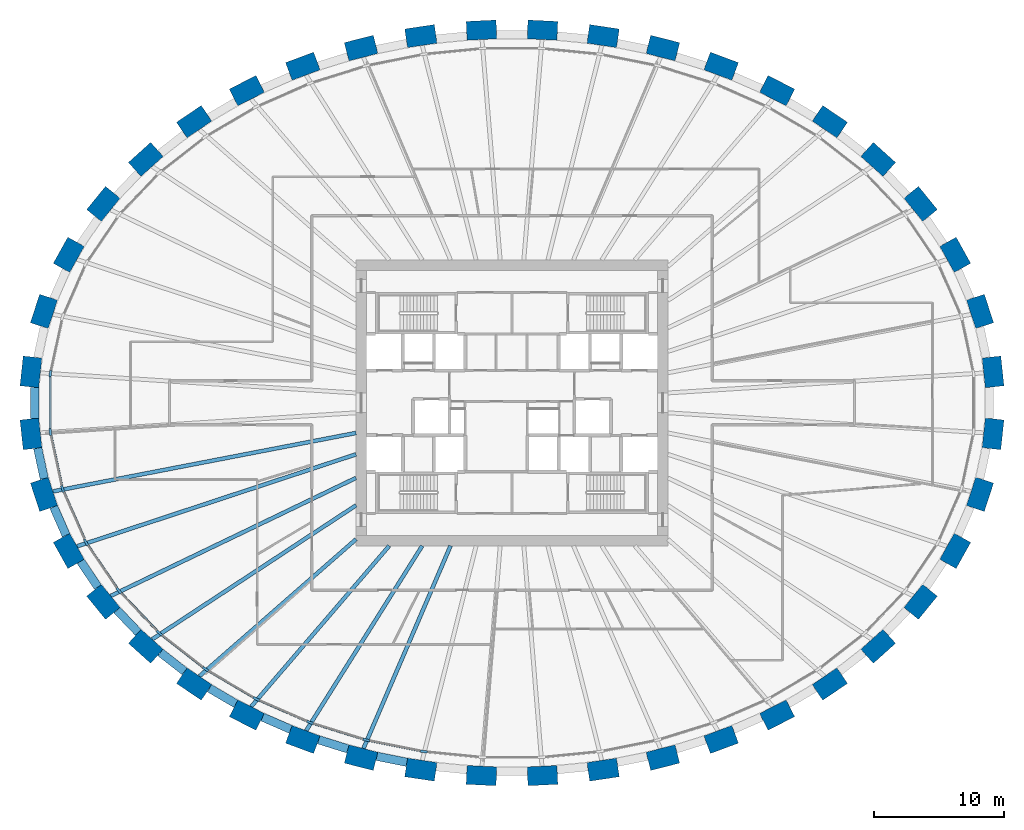
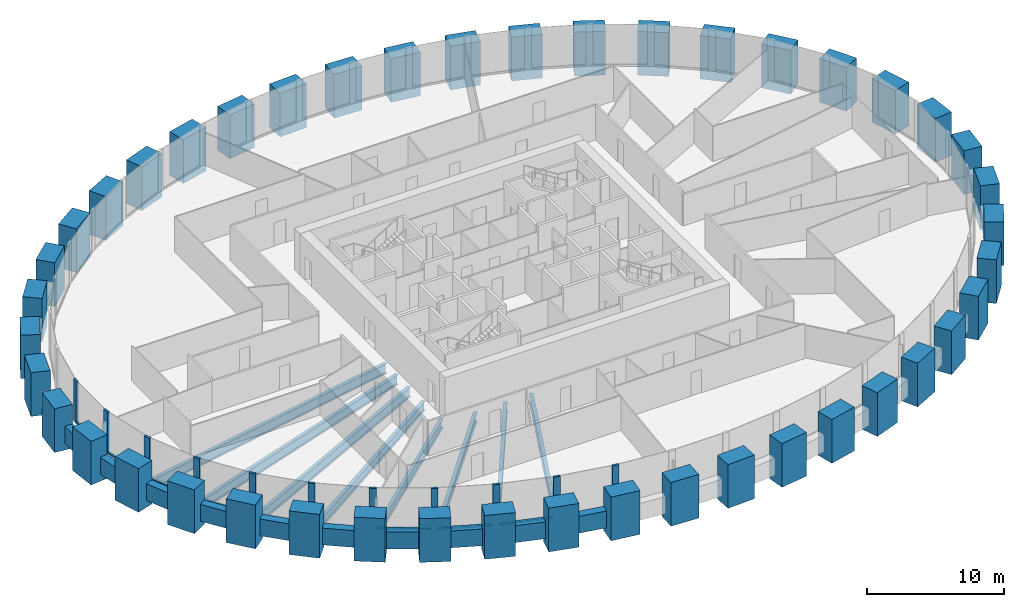
# One storey, part 1 of 10: 44 columns, 21 members, 18 beams, 1 element without a shape of its own.
"""IFC4 building model written with IfcOpenShell, lengths in metres."""

from ifc_helpers import new_model, si_unit, direction, frame, origin, origin_2d, place, context, subcontext, project, spatial, rectangle, i_section, extrude, source, transform, mapped, material, material_profile, profile_set, type_object, element, aggregate, save


model = new_model("IFC4")

# Units and contexts
model_context = context("Model", 3, precision=1e-05, world=origin(), true_north=direction((0.0, 1.0)))
body_context = subcontext(model_context, "Body", "Model", "MODEL_VIEW")
ifc_project = project(units=[si_unit("LENGTHUNIT", "METRE"), si_unit("AREAUNIT", "SQUARE_METRE"), si_unit("VOLUMEUNIT", "CUBIC_METRE"), si_unit("PLANEANGLEUNIT", "RADIAN"), si_unit("MASSUNIT", "GRAM", prefix="KILO")], contexts=[model_context])

# Site, building, storey
site_placement = place(None, origin())
site = spatial("IfcSite", under=ifc_project, at=site_placement, CompositionType="ELEMENT")
building_placement = place(site_placement, origin())
building = spatial("IfcBuilding", under=site, at=building_placement, Name="Embergate Tower", CompositionType="ELEMENT")
storey_placement = place(building_placement, frame((0.0, 0.0, 183.300048828125)))
storey = spatial("IfcBuildingStorey", under=building, at=storey_placement, Name="L41", CompositionType="ELEMENT", Elevation=183.300048828125)

# Columns
ifc_material_1 = material(Name="Concrete C70", Category="concrete")
ifc_material_profile_1 = material_profile(ifc_material_1, rectangle(XDim=1.449951171875, YDim=2.300048828125, at=origin_2d()), Name="RC 1450x2300")
ifc_profile_set_1 = profile_set([ifc_material_profile_1], Name="Concrete C70")
column_type = type_object("IfcColumnType", Name="Ring column RC 1450x2300 C70", PredefinedType="COLUMN", material=ifc_profile_set_1)
shared_shape_1 = source(origin(), body_context, "Body", "SweptSolid", [
    extrude(rectangle(XDim=1.449951171875, YDim=2.300048828125, at=origin_2d()), origin(), (0.0, 0.0, 1.0), 3.900146484375),
])
for number, where, z_axis, x_axis, name in (
    (1, (37.008056640625, 2.383056640625, -1.400146484375), (0.0, 0.0, 1.0), (0.99428589498, 0.106749983816, 0.0), "COL-L41-00"),
    (2, (36.007080078125, 7.037109375, -1.400146484375), (0.0, 0.0, 1.0), (0.950754033697, 0.309946394413, 0.0), "COL-L41-01"),
    (3, (34.097900390625, 11.388916015625, -1.400146484375), (0.0, 0.0, 1.0), (0.873491969053, 0.486838556403, 0.0), "COL-L41-02"),
    (4, (31.43408203125, 15.30810546875, -1.400146484375), (0.0, 0.0, 1.0), (0.775914301615, 0.630838328377, 0.0), "COL-L41-03"),
    (5, (28.172119140625, 18.72900390625, -1.400146484375), (0.0, 0.0, 1.0), (0.669208424634, 0.74307475021, 0.0), "COL-L41-04"),
    (6, (24.4541015625, 21.631103515625, -1.400146484375), (0.0, 0.0, 1.0), (0.560393279442, 0.828226643109, 0.0), "COL-L41-05"),
    (7, (20.39697265625, 24.01611328125, -1.400146484375), (0.0, 0.0, 1.0), (0.452994952881, 0.891513080478, 0.0), "COL-L41-06"),
    (8, (16.091064453125, 25.89892578125, -1.400146484375), (0.0, 0.0, 1.0), (0.348343015724, 0.93736713373, 0.0), "COL-L41-07"),
    (9, (11.60888671875, 27.294921875, -1.400146484375), (0.0, 0.0, 1.0), (0.246491603437, 0.969144926951, 0.0), "COL-L41-08"),
    (10, (7.010009765625, 28.217041015625, -1.400146484375), (0.0, 0.0, 1.0), (0.146929011949, 0.989147039346, 0.0), "COL-L41-09"),
    (11, (2.343994140625, 28.676025390625, -1.400146484375), (0.0, 0.0, 1.0), (0.048814904854, 0.998807841912, 0.0), "COL-L41-10"),
    (12, (-2.343994140625, 28.676025390625, -1.400146484375), (0.0, 0.0, 1.0), (-0.048814904854, 0.998807841912, 0.0), "COL-L41-11"),
    (13, (-7.010009765625, 28.217041015625, -1.400146484375), (0.0, 0.0, 1.0), (-0.146929011949, 0.989147039346, 0.0), "COL-L41-12"),
    (14, (-11.60888671875, 27.294921875, -1.400146484375), (0.0, 0.0, 1.0), (-0.246491603437, 0.969144926951, 0.0), "COL-L41-13"),
    (15, (-16.091064453125, 25.89892578125, -1.400146484375), (0.0, 0.0, 1.0), (-0.348343015724, 0.93736713373, 0.0), "COL-L41-14"),
    (16, (-20.39697265625, 24.01611328125, -1.400146484375), (0.0, 0.0, 1.0), (-0.452994952881, 0.891513080478, 0.0), "COL-L41-15"),
    (17, (-24.4541015625, 21.631103515625, -1.400146484375), (0.0, 0.0, 1.0), (-0.560393279442, 0.828226643109, 0.0), "COL-L41-16"),
    (18, (-28.172119140625, 18.72900390625, -1.400146484375), (0.0, 0.0, 1.0), (-0.669208424634, 0.74307475021, 0.0), "COL-L41-17"),
    (19, (-31.43408203125, 15.30810546875, -1.400146484375), (0.0, 0.0, 1.0), (-0.775914301615, 0.630838328377, 0.0), "COL-L41-18"),
    (20, (-34.097900390625, 11.388916015625, -1.400146484375), (0.0, 0.0, 1.0), (-0.873491969053, 0.486838556403, 0.0), "COL-L41-19"),
    (21, (-36.007080078125, 7.037109375, -1.400146484375), (0.0, 0.0, 1.0), (-0.950754033697, 0.309946394413, 0.0), "COL-L41-20"),
    (22, (-37.008056640625, 2.383056640625, -1.400146484375), (0.0, 0.0, 1.0), (-0.99428589498, 0.106749983816, 0.0), "COL-L41-21"),
    (23, (-37.008056640625, -2.383056640625, -1.400146484375), (0.0, 0.0, 1.0), (-0.99428589498, -0.106749983816, 0.0), "COL-L41-22"),
    (24, (-36.007080078125, -7.037109375, -1.400146484375), (0.0, 0.0, 1.0), (-0.950754033697, -0.309946394413, 0.0), "COL-L41-23"),
    (25, (-34.097900390625, -11.388916015625, -1.400146484375), (0.0, 0.0, 1.0), (-0.873491969053, -0.486838556403, 0.0), "COL-L41-24"),
    (26, (-31.43408203125, -15.30810546875, -1.400146484375), (0.0, 0.0, 1.0), (-0.775914301615, -0.630838328377, 0.0), "COL-L41-25"),
    (27, (-28.172119140625, -18.72900390625, -1.400146484375), (0.0, 0.0, 1.0), (-0.669208424634, -0.74307475021, 0.0), "COL-L41-26"),
    (28, (-24.4541015625, -21.631103515625, -1.400146484375), (0.0, 0.0, 1.0), (-0.560393279442, -0.828226643109, 0.0), "COL-L41-27"),
    (29, (-20.39697265625, -24.01611328125, -1.400146484375), (0.0, 0.0, 1.0), (-0.452994952881, -0.891513080478, 0.0), "COL-L41-28"),
    (30, (-16.091064453125, -25.89892578125, -1.400146484375), (0.0, 0.0, 1.0), (-0.348343015724, -0.93736713373, 0.0), "COL-L41-29"),
    (31, (-11.60888671875, -27.294921875, -1.400146484375), (0.0, 0.0, 1.0), (-0.246491603437, -0.969144926951, 0.0), "COL-L41-30"),
    (32, (-7.010009765625, -28.217041015625, -1.400146484375), (0.0, 0.0, 1.0), (-0.146929011949, -0.989147039346, 0.0), "COL-L41-31"),
    (33, (-2.343994140625, -28.676025390625, -1.400146484375), (0.0, 0.0, 1.0), (-0.048814904854, -0.998807841912, 0.0), "COL-L41-32"),
    (34, (2.343994140625, -28.676025390625, -1.400146484375), (0.0, 0.0, 1.0), (0.048814904854, -0.998807841912, 0.0), "COL-L41-33"),
    (35, (7.010009765625, -28.217041015625, -1.400146484375), (0.0, 0.0, 1.0), (0.146929011949, -0.989147039346, 0.0), "COL-L41-34"),
    (36, (11.60888671875, -27.294921875, -1.400146484375), (0.0, 0.0, 1.0), (0.246491603437, -0.969144926951, 0.0), "COL-L41-35"),
    (37, (16.091064453125, -25.89892578125, -1.400146484375), (0.0, 0.0, 1.0), (0.348343015724, -0.93736713373, 0.0), "COL-L41-36"),
    (38, (20.39697265625, -24.01611328125, -1.400146484375), (0.0, 0.0, 1.0), (0.452994952881, -0.891513080478, 0.0), "COL-L41-37"),
    (39, (24.4541015625, -21.631103515625, -1.400146484375), (0.0, 0.0, 1.0), (0.560393279442, -0.828226643109, 0.0), "COL-L41-38"),
    (40, (28.172119140625, -18.72900390625, -1.400146484375), (0.0, 0.0, 1.0), (0.669208424634, -0.74307475021, 0.0), "COL-L41-39"),
    (41, (31.43408203125, -15.30810546875, -1.400146484375), (0.0, 0.0, 1.0), (0.775914301615, -0.630838328377, 0.0), "COL-L41-40"),
    (42, (34.097900390625, -11.388916015625, -1.400146484375), (0.0, 0.0, 1.0), (0.873491969053, -0.486838556403, 0.0), "COL-L41-41"),
    (43, (36.007080078125, -7.037109375, -1.400146484375), (0.0, 0.0, 1.0), (0.950754033697, -0.309946394413, 0.0), "COL-L41-42"),
    (44, (37.008056640625, -2.383056640625, -1.400146484375), (0.0, 0.0, 1.0), (0.99428589498, -0.106749983816, 0.0), "COL-L41-43"),
):
    element("IfcColumn", number, at=place(storey_placement, frame(where, z_axis=z_axis, x_axis=x_axis)), inside=storey, type_object=column_type, Name=name, PredefinedType="COLUMN", context=body_context, shape_type="MappedRepresentation", body=[
        mapped(shared_shape_1, transform((0.0, 0.0, 0.0))),
    ])

# Beams
ifc_material_profile_2 = material_profile(ifc_material_1, rectangle(XDim=0.64990234375, YDim=1.5, at=origin_2d()), Name="RC 650x1500")
ifc_profile_set_2 = profile_set([ifc_material_profile_2], Name="Concrete C70")
beam_type_1 = type_object("IfcBeamType", Name="Spandrel beam RC 650x1500 C70", PredefinedType="BEAM", material=ifc_profile_set_2)
shared_shape_2 = source(origin(), body_context, "Body", "SweptSolid", [
    extrude(rectangle(XDim=0.64990234375, YDim=1.5, at=origin_2d()), origin(), (0.0, 0.0, 1.0), 2.390625),
])
beam_1_placement = place(storey_placement, frame((-36.489013671875, -3.48388671875, 0.0), z_axis=(0.210372893439, -0.977621217909, 0.0), x_axis=(0.977621217909, 0.210372893439, 0.0)))
element("IfcBeam", 45, at=beam_1_placement, inside=storey, type_object=beam_type_1, Name="SPN-L41-22", PredefinedType="BEAM", context=body_context, shape_type="MappedRepresentation", body=[
    mapped(shared_shape_2, transform((0.0, 0.0, 0.0))),
])
shared_shape_3 = source(origin(), body_context, "Body", "SweptSolid", [
    extrude(rectangle(XDim=0.64990234375, YDim=1.5, at=origin_2d()), origin(), (0.0, 0.0, 1.0), 2.383544921875),
])
beam_2_placement = place(storey_placement, frame((-35.259033203125, -8.0029296875, 0.0), z_axis=(0.401495719711, -0.915860899402, 0.0), x_axis=(0.915860899402, 0.401495719711, 0.0)))
element("IfcBeam", 46, at=beam_2_placement, inside=storey, type_object=beam_type_1, Name="SPN-L41-23", PredefinedType="BEAM", context=body_context, shape_type="MappedRepresentation", body=[
    mapped(shared_shape_3, transform((0.0, 0.0, 0.0))),
])
shared_shape_4 = source(origin(), body_context, "Body", "SweptSolid", [
    extrude(rectangle(XDim=0.64990234375, YDim=1.5, at=origin_2d()), origin(), (0.0, 0.0, 1.0), 2.37744140625),
])
beam_3_placement = place(storey_placement, frame((-33.18798828125, -12.198974609375, 0.0), z_axis=(0.562307212713, -0.826928411975, 0.0), x_axis=(0.826928411975, 0.562307212713, 0.0)))
element("IfcBeam", 47, at=beam_3_placement, inside=storey, type_object=beam_type_1, Name="SPN-L41-24", PredefinedType="BEAM", context=body_context, shape_type="MappedRepresentation", body=[
    mapped(shared_shape_4, transform((0.0, 0.0, 0.0))),
])
shared_shape_5 = source(origin(), body_context, "Body", "SweptSolid", [
    extrude(rectangle(XDim=0.64990234375, YDim=1.5, at=origin_2d()), origin(), (0.0, 0.0, 1.0), 2.370361328125),
])
beam_4_placement = place(storey_placement, frame((-30.39111328125, -15.94189453125, 0.0), z_axis=(0.690277300847, -0.723544917704, 0.0), x_axis=(0.723544917704, 0.690277300847, 0.0)))
element("IfcBeam", 48, at=beam_4_placement, inside=storey, type_object=beam_type_1, Name="SPN-L41-25", PredefinedType="BEAM", context=body_context, shape_type="MappedRepresentation", body=[
    mapped(shared_shape_5, transform((0.0, 0.0, 0.0))),
])
shared_shape_6 = source(origin(), body_context, "Body", "SweptSolid", [
    extrude(rectangle(XDim=0.64990234375, YDim=1.5, at=origin_2d()), origin(), (0.0, 0.0, 1.0), 2.367431640625),
])
beam_5_placement = place(storey_placement, frame((-27.050048828125, -19.200927734375, 0.0), z_axis=(0.788179129097, -0.615445903761, 0.0), x_axis=(0.615445903761, 0.788179129097, 0.0)))
element("IfcBeam", 49, at=beam_5_placement, inside=storey, type_object=beam_type_1, Name="SPN-L41-26", PredefinedType="BEAM", context=body_context, shape_type="MappedRepresentation", body=[
    mapped(shared_shape_6, transform((0.0, 0.0, 0.0))),
])
shared_shape_7 = source(origin(), body_context, "Body", "SweptSolid", [
    extrude(rectangle(XDim=0.64990234375, YDim=1.5, at=origin_2d()), origin(), (0.0, 0.0, 1.0), 2.36181640625),
])
beam_6_placement = place(storey_placement, frame((-23.281982421875, -21.950927734375, 0.0), z_axis=(0.86203783714, -0.506843927989, 0.0), x_axis=(0.506843927989, 0.86203783714, 0.0)))
element("IfcBeam", 50, at=beam_6_placement, inside=storey, type_object=beam_type_1, Name="SPN-L41-27", PredefinedType="BEAM", context=body_context, shape_type="MappedRepresentation", body=[
    mapped(shared_shape_7, transform((0.0, 0.0, 0.0))),
])
shared_shape_8 = source(origin(), body_context, "Body", "SweptSolid", [
    extrude(rectangle(XDim=0.64990234375, YDim=1.5, at=origin_2d()), origin(), (0.0, 0.0, 1.0), 2.357177734375),
])
beam_7_placement = place(storey_placement, frame((-19.18798828125, -24.175048828125, 0.0), z_axis=(0.916330780136, -0.400422153951, 0.0), x_axis=(0.400422153951, 0.916330780136, 0.0)))
element("IfcBeam", 51, at=beam_7_placement, inside=storey, type_object=beam_type_1, Name="SPN-L41-28", PredefinedType="BEAM", context=body_context, shape_type="MappedRepresentation", body=[
    mapped(shared_shape_8, transform((0.0, 0.0, 0.0))),
])
shared_shape_9 = source(origin(), body_context, "Body", "SweptSolid", [
    extrude(rectangle(XDim=0.64990234375, YDim=1.5, at=origin_2d()), origin(), (0.0, 0.0, 1.0), 2.354736328125),
])
beam_8_placement = place(storey_placement, frame((-14.873046875, -25.923095703125, 0.0), z_axis=(0.954671641149, -0.2976609776, 0.0), x_axis=(0.2976609776, 0.954671641149, 0.0)))
element("IfcBeam", 52, at=beam_8_placement, inside=storey, type_object=beam_type_1, Name="SPN-L41-29", PredefinedType="BEAM", context=body_context, shape_type="MappedRepresentation", body=[
    mapped(shared_shape_9, transform((0.0, 0.0, 0.0))),
])
shared_shape_10 = source(origin(), body_context, "Body", "SweptSolid", [
    extrude(rectangle(XDim=0.64990234375, YDim=1.5, at=origin_2d()), origin(), (0.0, 0.0, 1.0), 2.35302734375),
])
beam_9_placement = place(storey_placement, frame((-10.39599609375, -27.19189453125, 0.0), z_axis=(0.980436743633, -0.196834427206, 0.0), x_axis=(0.196834427206, 0.980436743633, 0.0)))
element("IfcBeam", 53, at=beam_9_placement, inside=storey, type_object=beam_type_1, Name="SPN-L41-30", PredefinedType="BEAM", context=body_context, shape_type="MappedRepresentation", body=[
    mapped(shared_shape_10, transform((0.0, 0.0, 0.0))),
])
shared_shape_11 = source(origin(), body_context, "Body", "SweptSolid", [
    extrude(rectangle(XDim=0.64990234375, YDim=1.5, at=origin_2d()), origin(), (0.0, 0.0, 1.0), 2.39404296875),
])
beam_10_placement = place(storey_placement, frame((-36.73193359375, 1.197021484375, 0.0), z_axis=(0.0, -1.0, 0.0), x_axis=(1.0, 0.0, 0.0)))
element("IfcBeam", 54, at=beam_10_placement, inside=storey, type_object=beam_type_1, Name="SPN-L41-21", PredefinedType="BEAM", context=body_context, shape_type="MappedRepresentation", body=[
    mapped(shared_shape_11, transform((0.0, 0.0, 0.0))),
])
ifc_material_2 = material(Name="Steel Q355B", Category="steel")
ifc_material_profile_3 = material_profile(ifc_material_2, i_section(OverallWidth=0.300048828125, OverallDepth=0.89990234375, WebThickness=0.01611328125, FlangeThickness=0.028076171875, FilletRadius=0.028076171875, at=origin_2d()), Name="HN 900x300x16x28")
ifc_profile_set_3 = profile_set([ifc_material_profile_3], Name="Steel Q355 grade B")
beam_type_2 = type_object("IfcBeamType", Name="Radial girder HN 900x300x16x28", PredefinedType="BEAM", material=ifc_profile_set_3)
shared_shape_12 = source(origin(), body_context, "Body", "SweptSolid", [
    extrude(i_section(OverallWidth=0.300048828125, OverallDepth=0.89990234375, WebThickness=0.01611328125, FlangeThickness=0.028076171875, FilletRadius=0.028076171875, at=origin_2d()), origin(), (0.0, 0.0, 1.0), 23.747802734375),
])
beam_11_placement = place(storey_placement, frame((-35.318115234375, -6.81201171875, -0.650146484375), z_axis=(0.981906216614, 0.189367847787, 0.0), x_axis=(-0.189367847787, 0.981906216614, 0.0)))
element("IfcBeam", 55, at=beam_11_placement, inside=storey, type_object=beam_type_2, Name="GIR-L41-23", PredefinedType="BEAM", context=body_context, shape_type="MappedRepresentation", body=[
    mapped(shared_shape_12, transform((0.0, 0.0, 0.0))),
])
shared_shape_13 = source(origin(), body_context, "Body", "SweptSolid", [
    extrude(i_section(OverallWidth=0.300048828125, OverallDepth=0.89990234375, WebThickness=0.01611328125, FlangeThickness=0.028076171875, FilletRadius=0.028076171875, at=origin_2d()), origin(), (0.0, 0.0, 1.0), 22.602294921875),
])
beam_12_placement = place(storey_placement, frame((-33.465087890625, -11.035888671875, -0.650146484375), z_axis=(0.949689481284, 0.313193054103, 0.0), x_axis=(-0.313193054103, 0.949689481284, 0.0)))
element("IfcBeam", 56, at=beam_12_placement, inside=storey, type_object=beam_type_2, Name="GIR-L41-24", PredefinedType="BEAM", context=body_context, shape_type="MappedRepresentation", body=[
    mapped(shared_shape_13, transform((0.0, 0.0, 0.0))),
])
shared_shape_14 = source(origin(), body_context, "Body", "SweptSolid", [
    extrude(i_section(OverallWidth=0.300048828125, OverallDepth=0.89990234375, WebThickness=0.01611328125, FlangeThickness=0.028076171875, FilletRadius=0.028076171875, at=origin_2d()), origin(), (0.0, 0.0, 1.0), 20.941162109375),
])
beam_13_placement = place(storey_placement, frame((-30.87109375, -14.85107421875, -0.650146484375), z_axis=(0.901150138625, 0.433507125267, 0.0), x_axis=(-0.433507125267, 0.901150138625, 0.0)))
element("IfcBeam", 57, at=beam_13_placement, inside=storey, type_object=beam_type_2, Name="GIR-L41-25", PredefinedType="BEAM", context=body_context, shape_type="MappedRepresentation", body=[
    mapped(shared_shape_14, transform((0.0, 0.0, 0.0))),
])
ifc_material_profile_4 = material_profile(ifc_material_2, i_section(OverallWidth=0.300048828125, OverallDepth=0.800048828125, WebThickness=0.013916015625, FlangeThickness=0.02587890625, FilletRadius=0.028076171875, at=origin_2d()), Name="HN 800x300x14x26")
ifc_profile_set_4 = profile_set([ifc_material_profile_4], Name="Steel Q355 grade B")
beam_type_3 = type_object("IfcBeamType", Name="Radial girder HN 800x300x14x26", PredefinedType="BEAM", material=ifc_profile_set_4)
shared_shape_15 = source(origin(), body_context, "Body", "SweptSolid", [
    extrude(i_section(OverallWidth=0.300048828125, OverallDepth=0.800048828125, WebThickness=0.013916015625, FlangeThickness=0.02587890625, FilletRadius=0.028076171875, at=origin_2d()), origin(), (0.0, 0.0, 1.0), 18.76953125),
])
beam_14_placement = place(storey_placement, frame((-27.68701171875, -18.18994140625, -0.60009765625), z_axis=(0.835771481667, 0.549077435734, 0.0), x_axis=(-0.549077435734, 0.835771481667, 0.0)))
element("IfcBeam", 58, at=beam_14_placement, inside=storey, type_object=beam_type_3, Name="GIR-L41-26", PredefinedType="BEAM", context=body_context, shape_type="MappedRepresentation", body=[
    mapped(shared_shape_15, transform((0.0, 0.0, 0.0))),
])
shared_shape_16 = source(origin(), body_context, "Body", "SweptSolid", [
    extrude(i_section(OverallWidth=0.300048828125, OverallDepth=0.800048828125, WebThickness=0.013916015625, FlangeThickness=0.02587890625, FilletRadius=0.028076171875, at=origin_2d()), origin(), (0.0, 0.0, 1.0), 16.005859375),
])
beam_15_placement = place(storey_placement, frame((-24.048095703125, -21.031005859375, -0.60009765625), z_axis=(0.752730691054, 0.658328570506, 0.0), x_axis=(-0.658328570506, 0.752730691054, 0.0)))
element("IfcBeam", 59, at=beam_15_placement, inside=storey, type_object=beam_type_3, Name="GIR-L41-27", PredefinedType="BEAM", context=body_context, shape_type="MappedRepresentation", body=[
    mapped(shared_shape_16, transform((0.0, 0.0, 0.0))),
])
shared_shape_17 = source(origin(), body_context, "Body", "SweptSolid", [
    extrude(i_section(OverallWidth=0.300048828125, OverallDepth=0.800048828125, WebThickness=0.013916015625, FlangeThickness=0.02587890625, FilletRadius=0.028076171875, at=origin_2d()), origin(), (0.0, 0.0, 1.0), 16.305419921875),
])
beam_16_placement = place(storey_placement, frame((-20.069091796875, -23.3701171875, -0.60009765625), z_axis=(0.651501333184, 0.758647489193, 0.0), x_axis=(-0.758647489193, 0.651501333184, 0.0)))
element("IfcBeam", 60, at=beam_16_placement, inside=storey, type_object=beam_type_3, Name="GIR-L41-28", PredefinedType="BEAM", context=body_context, shape_type="MappedRepresentation", body=[
    mapped(shared_shape_17, transform((0.0, 0.0, 0.0))),
])
shared_shape_18 = source(origin(), body_context, "Body", "SweptSolid", [
    extrude(i_section(OverallWidth=0.300048828125, OverallDepth=0.800048828125, WebThickness=0.013916015625, FlangeThickness=0.02587890625, FilletRadius=0.028076171875, at=origin_2d()), origin(), (0.0, 0.0, 1.0), 16.79052734375),
])
beam_17_placement = place(storey_placement, frame((-15.837890625, -25.218994140625, -0.60009765625), z_axis=(0.531841858708, 0.8468436912, 0.0), x_axis=(-0.8468436912, 0.531841858708, 0.0)))
element("IfcBeam", 61, at=beam_17_placement, inside=storey, type_object=beam_type_3, Name="GIR-L41-29", PredefinedType="BEAM", context=body_context, shape_type="MappedRepresentation", body=[
    mapped(shared_shape_18, transform((0.0, 0.0, 0.0))),
])
shared_shape_19 = source(origin(), body_context, "Body", "SweptSolid", [
    extrude(i_section(OverallWidth=0.300048828125, OverallDepth=0.800048828125, WebThickness=0.013916015625, FlangeThickness=0.02587890625, FilletRadius=0.028076171875, at=origin_2d()), origin(), (0.0, 0.0, 1.0), 16.971435546875),
])
beam_18_placement = place(storey_placement, frame((-11.429931640625, -26.592041015625, -0.60009765625), z_axis=(0.394894806524, 0.918726342161, 0.0), x_axis=(-0.918726342161, 0.394894806524, 0.0)))
element("IfcBeam", 62, at=beam_18_placement, inside=storey, type_object=beam_type_3, Name="GIR-L41-30", PredefinedType="BEAM", context=body_context, shape_type="MappedRepresentation", body=[
    mapped(shared_shape_19, transform((0.0, 0.0, 0.0))),
])

# Curtain wall, members
ifc_material_3 = material(Name="Aluminium and glass", Category="aluminium")
curtain_wall_type = type_object("IfcCurtainWallType", Name="Recessed office glazing", PredefinedType="NOTDEFINED", material=ifc_material_3)
curtain_wall_placement = place(storey_placement, origin())
curtain_wall = element("IfcCurtainWall", 63, at=curtain_wall_placement, inside=storey, type_object=curtain_wall_type, Name="Recessed office glazing ring", ObjectType="RECESSED OFFICE GLAZING", PredefinedType="USERDEFINED")
ifc_material_4 = material(Name="Aluminium, thermally broken", Category="aluminium")
ifc_material_profile_5 = material_profile(ifc_material_4, rectangle(XDim=0.179931640625, YDim=0.52001953125, at=origin_2d()), Name="AL 520x180")
ifc_profile_set_5 = profile_set([ifc_material_profile_5], Name="Aluminium, thermally broken")
member_type_1 = type_object("IfcMemberType", Name="Office mullion", PredefinedType="MULLION", material=ifc_profile_set_5)
shared_shape_20 = source(origin(), body_context, "Body", "SweptSolid", [
    extrude(rectangle(XDim=0.179931640625, YDim=0.52001953125, at=origin_2d()), origin(), (0.0, 0.0, 1.0), 3.699951171875),
])
member_1_placement = place(storey_placement, frame((-35.51806640625, 2.2392578125, 0.0), z_axis=(0.0, 0.0, 1.0), x_axis=(0.994384954736, -0.105823257345, 0.0)))
member_1 = element("IfcMember", 64, at=member_1_placement, type_object=member_type_1, Name="CW mullion 22", PredefinedType="MULLION", context=body_context, shape_type="MappedRepresentation", body=[
    mapped(shared_shape_20, transform((0.0, 0.0, 0.0))),
])
member_2_placement = place(storey_placement, frame((-35.51806640625, -2.2392578125, 0.0), z_axis=(0.0, 0.0, 1.0), x_axis=(0.994384954736, 0.105823257345, 0.0)))
member_2 = element("IfcMember", 65, at=member_2_placement, type_object=member_type_1, Name="CW mullion 23", PredefinedType="MULLION", context=body_context, shape_type="MappedRepresentation", body=[
    mapped(shared_shape_20, transform((0.0, 0.0, 0.0))),
])
member_3_placement = place(storey_placement, frame((-34.5751953125, -6.6201171875, 0.0), z_axis=(0.0, 0.0, 1.0), x_axis=(0.951497797992, 0.307655554826, 0.0)))
member_3 = element("IfcMember", 66, at=member_3_placement, type_object=member_type_1, Name="CW mullion 24", PredefinedType="MULLION", context=body_context, shape_type="MappedRepresentation", body=[
    mapped(shared_shape_20, transform((0.0, 0.0, 0.0))),
])
member_4_placement = place(storey_placement, frame((-32.7724609375, -10.73046875, 0.0), z_axis=(0.0, 0.0, 1.0), x_axis=(0.875002740779, 0.484117964581, 0.0)))
member_4 = element("IfcMember", 67, at=member_4_placement, type_object=member_type_1, Name="CW mullion 25", PredefinedType="MULLION", context=body_context, shape_type="MappedRepresentation", body=[
    mapped(shared_shape_20, transform((0.0, 0.0, 0.0))),
])
member_5_placement = place(storey_placement, frame((-30.24365234375, -14.448974609375, 0.0), z_axis=(0.0, 0.0, 1.0), x_axis=(0.777873661157, 0.62842069291, 0.0)))
member_5 = element("IfcMember", 68, at=member_5_placement, type_object=member_type_1, Name="CW mullion 26", PredefinedType="MULLION", context=body_context, shape_type="MappedRepresentation", body=[
    mapped(shared_shape_20, transform((0.0, 0.0, 0.0))),
])
member_6_placement = place(storey_placement, frame((-27.13427734375, -17.709716796875, 0.0), z_axis=(0.0, 0.0, 1.0), x_axis=(0.671229121411, 0.741249935292, 0.0)))
member_6 = element("IfcMember", 69, at=member_6_placement, type_object=member_type_1, Name="CW mullion 27", PredefinedType="MULLION", context=body_context, shape_type="MappedRepresentation", body=[
    mapped(shared_shape_20, transform((0.0, 0.0, 0.0))),
])
member_7_placement = place(storey_placement, frame((-23.576416015625, -20.486328125, 0.0), z_axis=(0.0, 0.0, 1.0), x_axis=(0.562219061911, 0.826988347211, 0.0)))
member_7 = element("IfcMember", 70, at=member_7_placement, type_object=member_type_1, Name="CW mullion 28", PredefinedType="MULLION", context=body_context, shape_type="MappedRepresentation", body=[
    mapped(shared_shape_20, transform((0.0, 0.0, 0.0))),
])
member_8_placement = place(storey_placement, frame((-19.680908203125, -22.776611328125, 0.0), z_axis=(0.0, 0.0, 1.0), x_axis=(0.454512935162, 0.89074013706, 0.0)))
member_8 = element("IfcMember", 71, at=member_8_placement, type_object=member_type_1, Name="CW mullion 29", PredefinedType="MULLION", context=body_context, shape_type="MappedRepresentation", body=[
    mapped(shared_shape_20, transform((0.0, 0.0, 0.0))),
])
member_9_placement = place(storey_placement, frame((-15.536376953125, -24.5888671875, 0.0), z_axis=(0.0, 0.0, 1.0), x_axis=(0.349504318111, 0.93693475313, 0.0)))
member_9 = element("IfcMember", 72, at=member_9_placement, type_object=member_type_1, Name="CW mullion 30", PredefinedType="MULLION", context=body_context, shape_type="MappedRepresentation", body=[
    mapped(shared_shape_20, transform((0.0, 0.0, 0.0))),
])
member_10_placement = place(storey_placement, frame((-11.21435546875, -25.934814453125, 0.0), z_axis=(0.0, 0.0, 1.0), x_axis=(0.247313572481, 0.968935496752, 0.0)))
member_10 = element("IfcMember", 73, at=member_10_placement, type_object=member_type_1, Name="CW mullion 31", PredefinedType="MULLION", context=body_context, shape_type="MappedRepresentation", body=[
    mapped(shared_shape_20, transform((0.0, 0.0, 0.0))),
])
member_11_placement = place(storey_placement, frame((-6.773681640625, -26.825439453125, 0.0), z_axis=(0.0, 0.0, 1.0), x_axis=(0.147412382818, 0.989075118174, 0.0)))
member_11 = element("IfcMember", 74, at=member_11_placement, type_object=member_type_1, Name="CW mullion 32", PredefinedType="MULLION", context=body_context, shape_type="MappedRepresentation", body=[
    mapped(shared_shape_20, transform((0.0, 0.0, 0.0))),
])
ifc_material_profile_6 = material_profile(ifc_material_4, rectangle(XDim=0.179931640625, YDim=0.14990234375, at=origin_2d()), Name="AL 150x180")
ifc_profile_set_6 = profile_set([ifc_material_profile_6], Name="Aluminium, thermally broken")
member_type_2 = type_object("IfcMemberType", Name="Office sill transom", PredefinedType="USERDEFINED", material=ifc_profile_set_6)
shared_shape_21 = source(origin(), body_context, "Body", "SweptSolid", [
    extrude(rectangle(XDim=0.179931640625, YDim=0.14990234375, at=origin_2d()), origin(), (0.0, 0.0, 1.0), 3.96142578125),
])
member_12_placement = place(storey_placement, frame((-35.46337890625, -2.493408203125, 0.074951171875), z_axis=(0.210400224287, -0.977615336224, 0.0), x_axis=(0.977615336224, 0.210400224287, 0.0)))
member_12 = element("IfcMember", 75, at=member_12_placement, type_object=member_type_2, Name="CW transom 23.1", ObjectType="TRANSOM", PredefinedType="USERDEFINED", context=body_context, shape_type="MappedRepresentation", body=[
    mapped(shared_shape_21, transform((0.0, 0.0, 0.0))),
])
shared_shape_22 = source(origin(), body_context, "Body", "SweptSolid", [
    extrude(rectangle(XDim=0.179931640625, YDim=0.14990234375, at=origin_2d()), origin(), (0.0, 0.0, 1.0), 3.968017578125),
])
member_13_placement = place(storey_placement, frame((-34.470703125, -6.8583984375, 0.074951171875), z_axis=(0.401657873891, -0.915789797028, 0.0), x_axis=(0.915789797028, 0.401657873891, 0.0)))
member_13 = element("IfcMember", 76, at=member_13_placement, type_object=member_type_2, Name="CW transom 24.1", ObjectType="TRANSOM", PredefinedType="USERDEFINED", context=body_context, shape_type="MappedRepresentation", body=[
    mapped(shared_shape_22, transform((0.0, 0.0, 0.0))),
])
shared_shape_23 = source(origin(), body_context, "Body", "SweptSolid", [
    extrude(rectangle(XDim=0.179931640625, YDim=0.14990234375, at=origin_2d()), origin(), (0.0, 0.0, 1.0), 3.976806640625),
])
member_14_placement = place(storey_placement, frame((-32.626220703125, -10.9453125, 0.074951171875), z_axis=(0.5623268127, -0.826915083741, 0.0), x_axis=(0.826915083741, 0.5623268127, 0.0)))
member_14 = element("IfcMember", 77, at=member_14_placement, type_object=member_type_2, Name="CW transom 25.1", ObjectType="TRANSOM", PredefinedType="USERDEFINED", context=body_context, shape_type="MappedRepresentation", body=[
    mapped(shared_shape_23, transform((0.0, 0.0, 0.0))),
])
shared_shape_24 = source(origin(), body_context, "Body", "SweptSolid", [
    extrude(rectangle(XDim=0.179931640625, YDim=0.14990234375, at=origin_2d()), origin(), (0.0, 0.0, 1.0), 3.985595703125),
])
member_15_placement = place(storey_placement, frame((-30.064208984375, -14.63720703125, 0.074951171875), z_axis=(0.690123088355, -0.723692008329, 0.0), x_axis=(0.723692008329, 0.690123088355, 0.0)))
member_15 = element("IfcMember", 78, at=member_15_placement, type_object=member_type_2, Name="CW transom 26.1", ObjectType="TRANSOM", PredefinedType="USERDEFINED", context=body_context, shape_type="MappedRepresentation", body=[
    mapped(shared_shape_24, transform((0.0, 0.0, 0.0))),
])
shared_shape_25 = source(origin(), body_context, "Body", "SweptSolid", [
    extrude(rectangle(XDim=0.179931640625, YDim=0.14990234375, at=origin_2d()), origin(), (0.0, 0.0, 1.0), 3.992919921875),
])
member_16_placement = place(storey_placement, frame((-26.92919921875, -17.86962890625, 0.074951171875), z_axis=(0.788310720269, -0.615277342594, 0.0), x_axis=(0.615277342594, 0.788310720269, 0.0)))
member_16 = element("IfcMember", 79, at=member_16_placement, type_object=member_type_2, Name="CW transom 27.1", ObjectType="TRANSOM", PredefinedType="USERDEFINED", context=body_context, shape_type="MappedRepresentation", body=[
    mapped(shared_shape_25, transform((0.0, 0.0, 0.0))),
])
shared_shape_26 = source(origin(), body_context, "Body", "SweptSolid", [
    extrude(rectangle(XDim=0.179931640625, YDim=0.14990234375, at=origin_2d()), origin(), (0.0, 0.0, 1.0), 3.9990234375),
])
member_17_placement = place(storey_placement, frame((-23.352294921875, -20.6181640625, 0.074951171875), z_axis=(0.862037779563, -0.506844025916, 0.0), x_axis=(0.506844025916, 0.862037779563, 0.0)))
member_17 = element("IfcMember", 80, at=member_17_placement, type_object=member_type_2, Name="CW transom 28.1", ObjectType="TRANSOM", PredefinedType="USERDEFINED", context=body_context, shape_type="MappedRepresentation", body=[
    mapped(shared_shape_26, transform((0.0, 0.0, 0.0))),
])
shared_shape_27 = source(origin(), body_context, "Body", "SweptSolid", [
    extrude(rectangle(XDim=0.179931640625, YDim=0.14990234375, at=origin_2d()), origin(), (0.0, 0.0, 1.0), 4.00341796875),
])
member_18_placement = place(storey_placement, frame((-19.442626953125, -22.880859375, 0.074951171875), z_axis=(0.916224504472, -0.400665268529, 0.0), x_axis=(0.400665268529, 0.916224504472, 0.0)))
member_18 = element("IfcMember", 81, at=member_18_placement, type_object=member_type_2, Name="CW transom 29.1", ObjectType="TRANSOM", PredefinedType="USERDEFINED", context=body_context, shape_type="MappedRepresentation", body=[
    mapped(shared_shape_27, transform((0.0, 0.0, 0.0))),
])
shared_shape_28 = source(origin(), body_context, "Body", "SweptSolid", [
    extrude(rectangle(XDim=0.179931640625, YDim=0.14990234375, at=origin_2d()), origin(), (0.0, 0.0, 1.0), 4.006591796875),
])
member_19_placement = place(storey_placement, frame((-15.2880859375, -24.666259765625, 0.074951171875), z_axis=(0.954766855045, -0.297355431273, 0.0), x_axis=(0.297355431273, 0.954766855045, 0.0)))
member_19 = element("IfcMember", 82, at=member_19_placement, type_object=member_type_2, Name="CW transom 30.1", ObjectType="TRANSOM", PredefinedType="USERDEFINED", context=body_context, shape_type="MappedRepresentation", body=[
    mapped(shared_shape_28, transform((0.0, 0.0, 0.0))),
])
shared_shape_29 = source(origin(), body_context, "Body", "SweptSolid", [
    extrude(rectangle(XDim=0.179931640625, YDim=0.14990234375, at=origin_2d()), origin(), (0.0, 0.0, 1.0), 4.009033203125),
])
member_20_placement = place(storey_placement, frame((-10.95947265625, -25.986083984375, 0.074951171875), z_axis=(0.980475131823, -0.196643118053, 0.0), x_axis=(0.196643118053, 0.980475131823, 0.0)))
member_20 = element("IfcMember", 83, at=member_20_placement, type_object=member_type_2, Name="CW transom 31.1", ObjectType="TRANSOM", PredefinedType="USERDEFINED", context=body_context, shape_type="MappedRepresentation", body=[
    mapped(shared_shape_29, transform((0.0, 0.0, 0.0))),
])
shared_shape_30 = source(origin(), body_context, "Body", "SweptSolid", [
    extrude(rectangle(XDim=0.179931640625, YDim=0.14990234375, at=origin_2d()), origin(), (0.0, 0.0, 1.0), 3.95849609375),
])
member_21_placement = place(storey_placement, frame((-35.51806640625, 1.979248046875, 0.074951171875), z_axis=(0.0, -1.0, 0.0), x_axis=(1.0, 0.0, 0.0)))
member_21 = element("IfcMember", 84, at=member_21_placement, type_object=member_type_2, Name="CW transom 22.1", ObjectType="TRANSOM", PredefinedType="USERDEFINED", context=body_context, shape_type="MappedRepresentation", body=[
    mapped(shared_shape_30, transform((0.0, 0.0, 0.0))),
])
aggregate(curtain_wall, [member_1, member_2, member_3, member_4, member_5, member_6, member_7, member_8, member_9, member_10, member_11, member_21, member_12, member_13, member_14, member_15, member_16, member_17, member_18, member_19, member_20])

save(model, "model.ifc")
